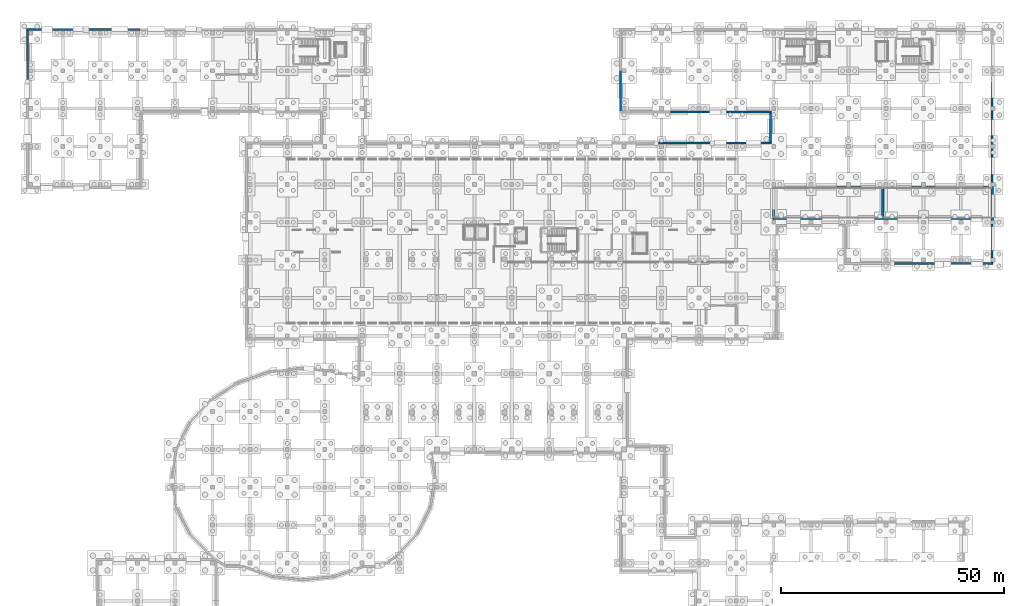
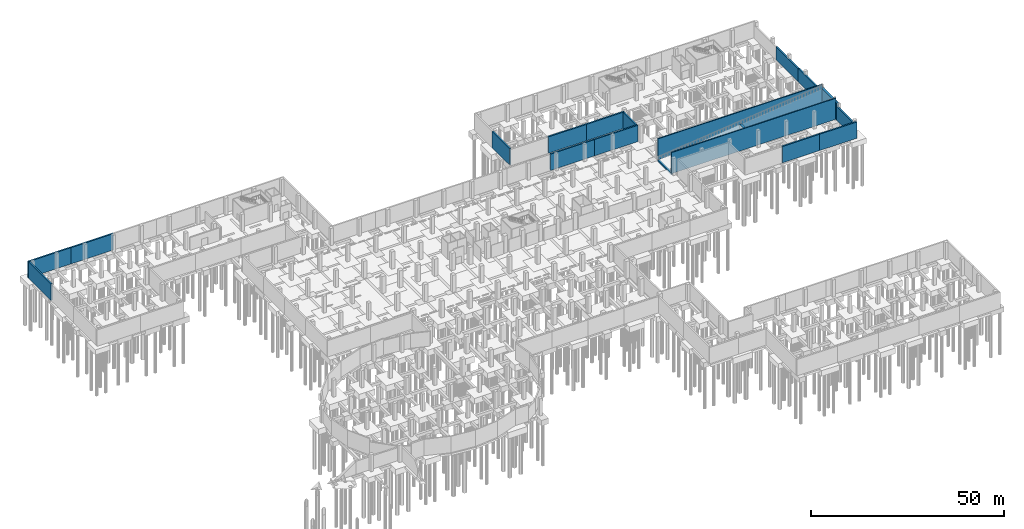
# One storey, part 28 of 34: 19 walls.
"""IFC4 building model written with IfcOpenShell, lengths in metres."""

import ifcopenshell
import ifcopenshell.guid

model = None  # the IFC model being written
_history = None  # IfcOwnerHistory: only IFC2X3 demands one
_inside = {}  # id of a spatial element -> (the spatial element, [elements in it])
_under = {}  # id of a project, library or spatial element -> (it, [spatial elements below it])
_declared = {}  # id of a project -> (the project, [libraries it declares])
_typed = {}  # id of a type object -> (the type object, [elements of that type])
_made_of = {}  # id of a material, layer set ... -> (it, [elements and type objects made of it])


def new_model(schema):
    """Start an empty IFC model of exactly this schema.

    Asked for "IFC4X3", IfcOpenShell would pick the latest addendum, in which some entities
    have other attributes; the version numbers below select the first issue.
    IFC2X3 requires an IfcOwnerHistory on every rooted entity: one is made here for all.
    """
    global model, _history
    if schema == "IFC4X3":
        model = ifcopenshell.file(schema_version=(4, 3, 0, 0))
    else:
        model = ifcopenshell.file(schema=schema)
    _inside.clear()
    _under.clear()
    _declared.clear()
    _typed.clear()
    _made_of.clear()
    _history = None
    if model.schema == "IFC2X3":
        org = make("IfcOrganization", Name="unknown")
        user = make(
            "IfcPersonAndOrganization",
            ThePerson=make("IfcPerson", FamilyName="unknown"),
            TheOrganization=org,
        )
        app = make(
            "IfcApplication",
            ApplicationDeveloper=org,
            Version="unknown",
            ApplicationFullName="unknown",
            ApplicationIdentifier="unknown",
        )
        _history = make(
            "IfcOwnerHistory",
            OwningUser=user,
            OwningApplication=app,
            ChangeAction="ADDED",
            CreationDate=0,
        )
    return model


def make(cls, **values):
    """One entity of the class cls with the attributes given. An attribute that is None is left unset."""
    return model.create_entity(
        cls, **{name: value for name, value in values.items() if value is not None}
    )


def rooted(cls, **values):
    """An entity with a GlobalId (a new one), such as an element, a storey or a relation."""
    return make(cls, GlobalId=ifcopenshell.guid.new(), OwnerHistory=_history, **values)


def si_unit(unit_type, name, prefix=None):
    """IfcSIUnit, for example si_unit("LENGTHUNIT", "METRE", prefix="MILLI")."""
    return make("IfcSIUnit", UnitType=unit_type, Prefix=prefix, Name=name)


def assignment(units):
    """IfcUnitAssignment: the units of a project."""
    return None if units is None else make("IfcUnitAssignment", Units=units)


def point(xyz):
    """IfcCartesianPoint."""
    return None if xyz is None else make("IfcCartesianPoint", Coordinates=xyz)


def direction(xyz):
    """IfcDirection."""
    return None if xyz is None else make("IfcDirection", DirectionRatios=xyz)


def frame(location, z_axis=None, x_axis=None):
    """IfcAxis2Placement3D, a coordinate frame: its origin and axes. An axis left out is left unset."""
    return make(
        "IfcAxis2Placement3D",
        Location=point(location),
        Axis=direction(z_axis),
        RefDirection=direction(x_axis),
    )


def frame_2d(location, x_axis=None):
    """IfcAxis2Placement2D, a coordinate frame in the plane: its origin and x axis."""
    return make(
        "IfcAxis2Placement2D", Location=point(location), RefDirection=direction(x_axis)
    )


def origin():
    """The frame at (0, 0, 0) with its axes left unset."""
    return frame((0.0, 0.0, 0.0))


def place(relative_to, where):
    """IfcLocalPlacement: puts the frame where relative to a parent placement (None: the world)."""
    return make(
        "IfcLocalPlacement", PlacementRelTo=relative_to, RelativePlacement=where
    )


def context(
    kind, dimensions, precision=None, world=None, true_north=None, identifier=None
):
    """IfcGeometricRepresentationContext, for example the 3D "Model" context."""
    return make(
        "IfcGeometricRepresentationContext",
        ContextIdentifier=identifier,
        ContextType=kind,
        CoordinateSpaceDimension=dimensions,
        Precision=precision,
        WorldCoordinateSystem=world,
        TrueNorth=true_north,
    )


def subcontext(parent, identifier, kind, view, scale=None):
    """IfcGeometricRepresentationSubContext, for example "Body" below "Model"."""
    return make(
        "IfcGeometricRepresentationSubContext",
        ContextIdentifier=identifier,
        ContextType=kind,
        ParentContext=parent,
        TargetScale=scale,
        TargetView=view,
    )


def project(units=None, contexts=None):
    """IfcProject with its units and contexts."""
    return rooted(
        "IfcProject",
        Name="project",
        RepresentationContexts=contexts,
        UnitsInContext=assignment(units),
    )


def spatial(cls, under=None, at=None, **own):
    """A site, building, storey or space (cls), placed at a placement, below another one or the project."""
    s = rooted(cls, ObjectPlacement=at, **own)
    if under is not None:
        _under.setdefault(under.id(), (under, []))[1].append(s)
    return s


def profile(cls, at=None, kind="AREA", **sizes):
    """A parametric profile (cls). Its sizes go by their IFC names, for example OverallWidth=200.0."""
    return make(cls, ProfileType=kind, Position=at, **sizes)


def rectangle(**sizes):
    """IfcRectangleProfileDef."""
    return profile("IfcRectangleProfileDef", **sizes)


def extrude(swept, where, along, depth):
    """IfcExtrudedAreaSolid: the profile swept, set in the frame where, extruded along a direction by depth."""
    return make(
        "IfcExtrudedAreaSolid",
        SweptArea=swept,
        Position=where,
        ExtrudedDirection=direction(along),
        Depth=depth,
    )


def shape(context_of_items, identifier, shape_type, items):
    """IfcShapeRepresentation: the items that make up one representation, for example the "Body"."""
    return make(
        "IfcShapeRepresentation",
        ContextOfItems=context_of_items,
        RepresentationIdentifier=identifier,
        RepresentationType=shape_type,
        Items=items,
    )


def material(Name=None, Category=None):
    """IfcMaterial."""
    return make("IfcMaterial", Name=Name, Category=Category)


def layer(
    of_material, thickness, ventilated=None, Name=None, Category=None, Priority=None
):
    """IfcMaterialLayer: one layer of a wall or slab, of a material (None: an air gap)."""
    return make(
        "IfcMaterialLayer",
        Material=of_material,
        LayerThickness=thickness,
        IsVentilated=ventilated,
        Name=Name,
        Category=Category,
        Priority=Priority,
    )


def layer_set(layers, Name=None):
    """IfcMaterialLayerSet."""
    return make("IfcMaterialLayerSet", MaterialLayers=layers, LayerSetName=Name)


def made_of(thing, what):
    """Note that an element or type object is made of a material, layer set ...; save() writes the relation."""
    if what is not None:
        _made_of.setdefault(what.id(), (what, []))[1].append(thing)
    return thing


def type_object(cls, material=None, **own):
    """A type object (cls), such as IfcWallType, which elements share."""
    return made_of(rooted(cls, **own), material)


def element(
    cls,
    number,
    at=None,
    inside=None,
    cuts=None,
    type_object=None,
    material=None,
    context=None,
    identifier="Body",
    shape_type=None,
    held_by="IfcProductDefinitionShape",
    body=None,
    shapes=None,
    **own,
):
    """One element of the class cls, such as IfcWall. Its Tag is "e" and its number.

    at: its placement. inside: the storey or other place that contains it. cuts: it is an
    opening in that element (IfcRelVoidsElement). A single representation is given by context,
    identifier, shape_type and body (its items); several are given by shapes. held_by: the class
    of the entity that holds the representations. save() writes the other relations.
    """
    e = rooted(cls, Tag="e%d" % number, ObjectPlacement=at, **own)
    if body is not None:
        shapes = [shape(context, identifier, shape_type, body)]
    if shapes is not None:
        e.Representation = make(held_by, Representations=shapes)
    if inside is not None:
        _inside.setdefault(inside.id(), (inside, []))[1].append(e)
    if cuts is not None:
        rooted(
            "IfcRelVoidsElement", RelatingBuildingElement=cuts, RelatedOpeningElement=e
        )
    if type_object is not None:
        _typed.setdefault(type_object.id(), (type_object, []))[1].append(e)
    return made_of(e, material)


def aggregate(whole, parts):
    """IfcRelAggregates: a whole, such as a stair, and the parts it consists of."""
    return rooted("IfcRelAggregates", RelatingObject=whole, RelatedObjects=parts)


def save(model, path):
    """Write the relations noted so far, then the file.

    IfcRelAggregates (storeys below a building ...), IfcRelContainedInSpatialStructure (elements
    in a storey), IfcRelDefinesByType, IfcRelAssociatesMaterial and IfcRelDeclares: one each for
    every whole, place, type object, material and project.
    """
    for whole, parts in _under.values():
        aggregate(whole, parts)
    for where, things in _inside.values():
        rooted(
            "IfcRelContainedInSpatialStructure",
            RelatedElements=things,
            RelatingStructure=where,
        )
    for kind, things in _typed.values():
        rooted("IfcRelDefinesByType", RelatedObjects=things, RelatingType=kind)
    for what, things in _made_of.values():
        rooted("IfcRelAssociatesMaterial", RelatedObjects=things, RelatingMaterial=what)
    for by, libraries in _declared.values():
        rooted("IfcRelDeclares", RelatingContext=by, RelatedDefinitions=libraries)
    model.write(path)


model = new_model("IFC4")

# Units and contexts
model_context = context("Model", 3, precision=1e-05, world=origin(), true_north=direction((0.0, 1.0)))
body_context = subcontext(model_context, "Body", "Model", "MODEL_VIEW")
ifc_project = project(units=[si_unit("LENGTHUNIT", "METRE"), si_unit("AREAUNIT", "SQUARE_METRE"), si_unit("VOLUMEUNIT", "CUBIC_METRE"), si_unit("PLANEANGLEUNIT", "RADIAN"), si_unit("MASSUNIT", "GRAM", prefix="KILO")], contexts=[model_context])

# Site, building, storey
site_placement = place(None, origin())
site = spatial("IfcSite", under=ifc_project, at=site_placement, CompositionType="ELEMENT")
building_placement = place(site_placement, origin())
building = spatial("IfcBuilding", under=site, at=building_placement, Name="Solvento Point Concert Hall", CompositionType="ELEMENT")
storey_placement = place(building_placement, frame((0.0, 0.0, -5.39990234375)))
storey = spatial("IfcBuildingStorey", under=building, at=storey_placement, Name="B01", CompositionType="ELEMENT", Elevation=-5.39990234375)

# Walls
ifc_material_1 = material(Name="Concrete C40/50", Category="concrete")
ifc_layer_1 = layer(ifc_material_1, 0.300048828125)
ifc_layer_set_1 = layer_set([ifc_layer_1], Name="Concrete C40/50")
wall_type_1 = type_object("IfcWallType", Name="CoreShearWall_300", PredefinedType="SHEAR", material=ifc_layer_set_1)
for number, where, z_axis, x_axis, name in (
    (1, (166.574951171875, 94.2900390625, 0.0), (0.0, 0.0, 1.0), (1.0, 0.0, 0.0), "Vehicle ramp retaining curb wall W-RW1 S"),
    (2, (166.574951171875, 101.409912109375, 0.0), (0.0, 0.0, 1.0), (1.0, 0.0, 0.0), "Vehicle ramp retaining curb wall W-RW1 N"),
):
    element("IfcWall", number, at=place(storey_placement, frame(where, z_axis=z_axis, x_axis=x_axis)), inside=storey, type_object=wall_type_1, Name=name, PredefinedType="SHEAR", context=body_context, shape_type="SweptSolid", body=[
        extrude(rectangle(XDim=49.074951171875, YDim=0.300048828125, at=frame_2d((24.53759765625, 0.0))), origin(), (0.0, 0.0, 1.0), 6.64990234375),
    ])
ifc_material_2 = material(Name="Concrete C35/45", Category="concrete")
ifc_layer_2 = layer(ifc_material_2, 0.449951171875)
ifc_layer_set_2 = layer_set([ifc_layer_2], Name="Concrete C35/45")
wall_type_2 = type_object("IfcWallType", Name="RetainingWall_450", PredefinedType="USERDEFINED", material=ifc_layer_set_2)
wall_1_placement = place(storey_placement, frame((166.800048828125, 94.300048828125, -0.4501953125), z_axis=(0.0, 0.0, 1.0), x_axis=(0.0, 1.0, 0.0)))
element("IfcWall", 3, at=wall_1_placement, inside=storey, type_object=wall_type_2, Name="Basement retaining wall RW-01", ObjectType="RETAINING WALL", PredefinedType="USERDEFINED", context=body_context, shape_type="SweptSolid", body=[
    extrude(rectangle(XDim=7.099853515625, YDim=0.64990234375, at=frame_2d((3.5498046875, 0.0))), origin(), (0.0, 0.0, 1.0), 0.47021484375),
])
wall_2_placement = place(storey_placement, frame((191.27490234375, 94.300048828125, 0.0), z_axis=(0.0, 0.0, 1.0), x_axis=(0.0, 1.0, 0.0)))
element("IfcWall", 4, at=wall_2_placement, inside=storey, type_object=wall_type_2, Name="Basement retaining wall RW-01", ObjectType="RETAINING WALL", PredefinedType="USERDEFINED", context=body_context, shape_type="SweptSolid", body=[
    extrude(rectangle(XDim=7.099853515625, YDim=0.64990234375, at=frame_2d((3.5498046875, 0.0))), origin(), (0.0, 0.0, 1.0), 2.719970703125),
])
wall_3_placement = place(storey_placement, frame((215.85009765625, 93.64990234375, 0.0), z_axis=(0.0, 0.0, 1.0), x_axis=(0.0, 1.0, 0.0)))
element("IfcWall", 5, at=wall_3_placement, inside=storey, type_object=wall_type_2, Name="Basement retaining wall RW-01", ObjectType="RETAINING WALL", PredefinedType="USERDEFINED", context=body_context, shape_type="SweptSolid", body=[
    extrude(rectangle(XDim=8.400146484375, YDim=0.64990234375, at=frame_2d((4.2001953125, 0.0))), origin(), (0.0, 0.0, 1.0), 5.39990234375),
])
wall_4_placement = place(storey_placement, frame((-0.7548828125, 124.84326171875, 0.0), z_axis=(0.0, 0.0, 1.0), x_axis=(0.0, 1.0, 0.0)))
element("IfcWall", 6, at=wall_4_placement, inside=storey, type_object=wall_type_2, Name="Headland plinth retaining wall RW-01", ObjectType="RETAINING WALL", PredefinedType="USERDEFINED", context=body_context, shape_type="SweptSolid", body=[
    extrude(rectangle(XDim=11.686767578125, YDim=0.449951171875, at=frame_2d((5.84326171875, 0.0))), origin(), (0.0, 0.0, 1.0), 5.15478515625),
])
wall_5_placement = place(storey_placement, frame((-0.97998046875, 136.7548828125, 0.0), z_axis=(0.0, 0.0, 1.0), x_axis=(1.0, 0.0, 0.0)))
element("IfcWall", 7, at=wall_5_placement, inside=storey, type_object=wall_type_2, Name="Headland plinth retaining wall RW-01", ObjectType="RETAINING WALL", PredefinedType="USERDEFINED", context=body_context, shape_type="SweptSolid", body=[
    extrude(rectangle(XDim=12.7265625, YDim=0.449951171875, at=frame_2d((6.36328125, 0.0))), origin(), (0.0, 0.0, 1.0), 5.15478515625),
])
wall_6_placement = place(storey_placement, frame((11.74658203125, 136.7548828125, 0.0), z_axis=(0.0, 0.0, 1.0), x_axis=(1.0, 0.0, 0.0)))
element("IfcWall", 8, at=wall_6_placement, inside=storey, type_object=wall_type_2, Name="Headland plinth retaining wall RW-01", ObjectType="RETAINING WALL", PredefinedType="USERDEFINED", context=body_context, shape_type="SweptSolid", body=[
    extrude(rectangle(XDim=12.726806640625, YDim=0.449951171875, at=frame_2d((6.36328125, 0.0))), origin(), (0.0, 0.0, 1.0), 5.15478515625),
])
for number, where, z_axis, x_axis, name in (
    (9, (140.1728515625, 111.2548828125, 0.0), (0.0, 0.0, 1.0), (1.0, 0.0, 0.0), "Headland plinth retaining wall RW-01"),
    (10, (153.221435546875, 111.2548828125, 0.0), (0.0, 0.0, 1.0), (1.0, 0.0, 0.0), "Headland plinth retaining wall RW-01"),
):
    element("IfcWall", number, at=place(storey_placement, frame(where, z_axis=z_axis, x_axis=x_axis)), inside=storey, type_object=wall_type_2, Name=name, ObjectType="RETAINING WALL", PredefinedType="USERDEFINED", context=body_context, shape_type="SweptSolid", body=[
        extrude(rectangle(XDim=13.048583984375, YDim=0.449951171875, at=frame_2d((6.5244140625, 0.0))), origin(), (0.0, 0.0, 1.0), 5.15478515625),
    ])
wall_7_placement = place(storey_placement, frame((166.044921875, 111.47998046875, 0.0), z_axis=(0.0, 0.0, 1.0), x_axis=(0.0, 1.0, 0.0)))
element("IfcWall", 11, at=wall_7_placement, inside=storey, type_object=wall_type_2, Name="Headland plinth retaining wall RW-01", ObjectType="RETAINING WALL", PredefinedType="USERDEFINED", context=body_context, shape_type="SweptSolid", body=[
    extrude(rectangle(XDim=6.5400390625, YDim=0.449951171875, at=frame_2d((3.27001953125, 0.0))), origin(), (0.0, 0.0, 1.0), 5.15478515625),
])
wall_8_placement = place(storey_placement, frame((166.27001953125, 118.2451171875, 0.0), z_axis=(0.0, 0.0, 1.0), x_axis=(-1.0, 0.0, 0.0)))
element("IfcWall", 12, at=wall_8_placement, inside=storey, type_object=wall_type_2, Name="Headland plinth retaining wall RW-01", ObjectType="RETAINING WALL", PredefinedType="USERDEFINED", context=body_context, shape_type="SweptSolid", body=[
    extrude(rectangle(XDim=11.35009765625, YDim=0.449951171875, at=frame_2d((5.675048828125, 0.0))), origin(), (0.0, 0.0, 1.0), 5.15478515625),
])
wall_9_placement = place(storey_placement, frame((154.919921875, 118.2451171875, 0.0), z_axis=(0.0, 0.0, 1.0), x_axis=(-1.0, 0.0, 0.0)))
element("IfcWall", 13, at=wall_9_placement, inside=storey, type_object=wall_type_2, Name="Headland plinth retaining wall RW-01", ObjectType="RETAINING WALL", PredefinedType="USERDEFINED", context=body_context, shape_type="SweptSolid", body=[
    extrude(rectangle(XDim=11.349853515625, YDim=0.449951171875, at=frame_2d((5.6748046875, 0.0))), origin(), (0.0, 0.0, 1.0), 5.15478515625),
])
wall_10_placement = place(storey_placement, frame((132.445068359375, 118.469970703125, 0.0), z_axis=(0.0, 0.0, 1.0), x_axis=(0.0, 1.0, 0.0)))
element("IfcWall", 14, at=wall_10_placement, inside=storey, type_object=wall_type_2, Name="Headland plinth retaining wall RW-01", ObjectType="RETAINING WALL", PredefinedType="USERDEFINED", context=body_context, shape_type="SweptSolid", body=[
    extrude(rectangle(XDim=9.030029296875, YDim=0.449951171875, at=frame_2d((4.51513671875, 0.0))), origin(), (0.0, 0.0, 1.0), 5.15478515625),
])
wall_11_placement = place(storey_placement, frame((215.77490234375, 93.64990234375, 0.0), z_axis=(0.0, 0.0, 1.0), x_axis=(0.0, -1.0, 0.0)))
element("IfcWall", 15, at=wall_11_placement, inside=storey, type_object=wall_type_2, Name="Headland plinth retaining wall RW-01", ObjectType="RETAINING WALL", PredefinedType="USERDEFINED", context=body_context, shape_type="SweptSolid", body=[
    extrude(rectangle(XDim=9.179931640625, YDim=0.449951171875, at=frame_2d((4.58984375, 0.0))), origin(), (0.0, 0.0, 1.0), 4.375),
])
wall_12_placement = place(storey_placement, frame((215.77490234375, 113.543212890625, 0.0), z_axis=(0.0, 0.0, 1.0), x_axis=(0.0, -1.0, 0.0)))
element("IfcWall", 16, at=wall_12_placement, inside=storey, type_object=wall_type_2, Name="Headland plinth retaining wall RW-01", ObjectType="RETAINING WALL", PredefinedType="USERDEFINED", context=body_context, shape_type="SweptSolid", body=[
    extrude(rectangle(XDim=11.4931640625, YDim=0.449951171875, at=frame_2d((5.74658203125, 0.0))), origin(), (0.0, 0.0, 1.0), 4.224853515625),
])
wall_13_placement = place(storey_placement, frame((215.77490234375, 125.03662109375, 0.0), z_axis=(0.0, 0.0, 1.0), x_axis=(0.0, -1.0, 0.0)))
element("IfcWall", 17, at=wall_13_placement, inside=storey, type_object=wall_type_2, Name="Headland plinth retaining wall RW-01", ObjectType="RETAINING WALL", PredefinedType="USERDEFINED", context=body_context, shape_type="SweptSolid", body=[
    extrude(rectangle(XDim=11.493408203125, YDim=0.449951171875, at=frame_2d((5.74658203125, 0.0))), origin(), (0.0, 0.0, 1.0), 4.156982421875),
])
for number, where, z_axis, x_axis, name in (
    (18, (216.0, 84.2451171875, 0.0), (0.0, 0.0, 1.0), (-1.0, 0.0, 0.0), "Headland plinth retaining wall RW-01"),
    (19, (204.873291015625, 84.2451171875, 0.0), (0.0, 0.0, 1.0), (-1.0, 0.0, 0.0), "Headland plinth retaining wall RW-01"),
):
    element("IfcWall", number, at=place(storey_placement, frame(where, z_axis=z_axis, x_axis=x_axis)), inside=storey, type_object=wall_type_2, Name=name, ObjectType="RETAINING WALL", PredefinedType="USERDEFINED", context=body_context, shape_type="SweptSolid", body=[
        extrude(rectangle(XDim=11.126708984375, YDim=0.449951171875, at=frame_2d((5.5634765625, 0.0))), origin(), (0.0, 0.0, 1.0), 5.15478515625),
    ])

save(model, "model.ifc")
